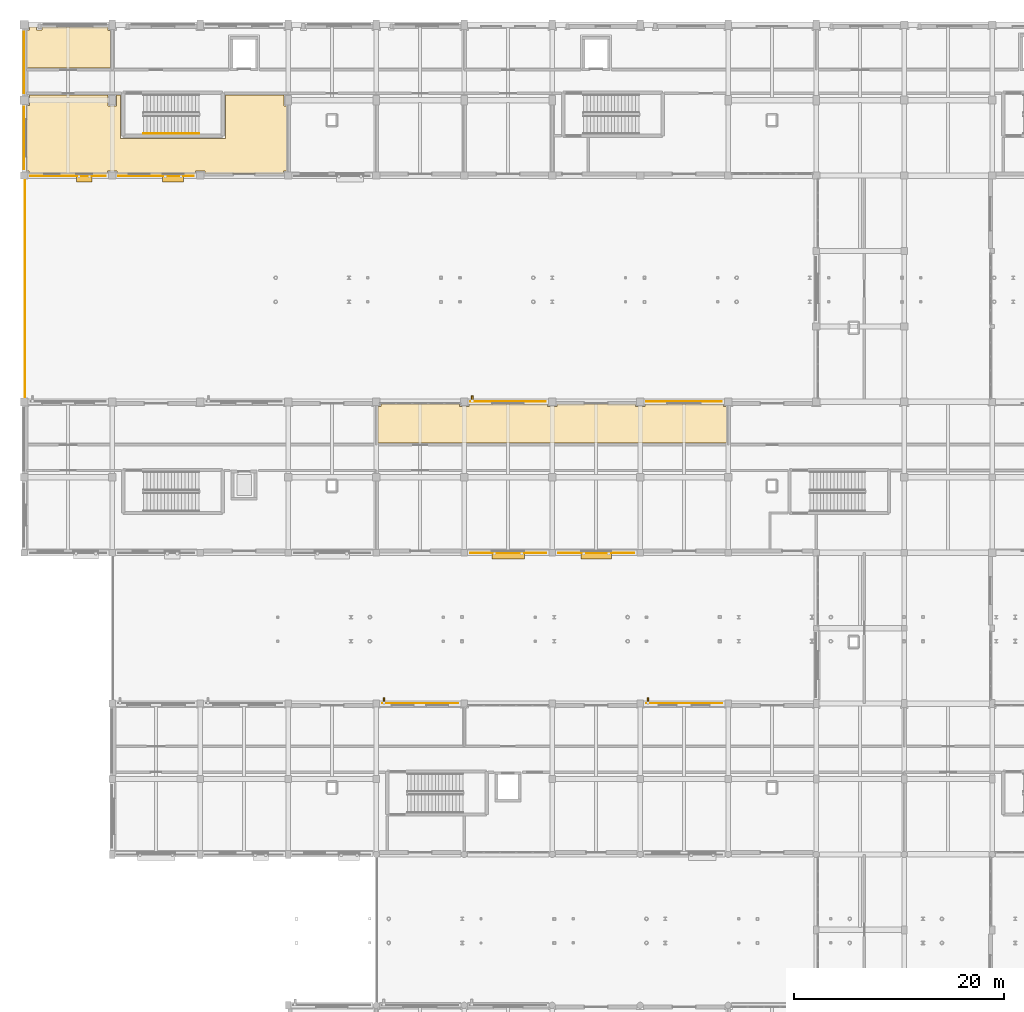
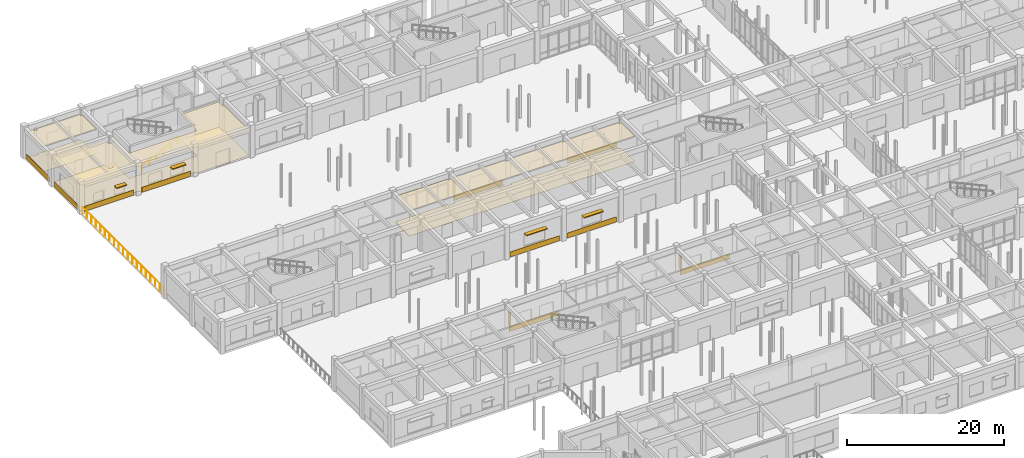
# One storey, part 110 of 121: 16 coverings, 7 shading devices, 2 railings.
"""IFC4 building model written with IfcOpenShell, lengths in metres."""

import ifcopenshell
import ifcopenshell.guid

model = None  # the IFC model being written
_history = None  # IfcOwnerHistory: only IFC2X3 demands one
_inside = {}  # id of a spatial element -> (the spatial element, [elements in it])
_under = {}  # id of a project, library or spatial element -> (it, [spatial elements below it])
_declared = {}  # id of a project -> (the project, [libraries it declares])
_typed = {}  # id of a type object -> (the type object, [elements of that type])
_made_of = {}  # id of a material, layer set ... -> (it, [elements and type objects made of it])


def new_model(schema):
    """Start an empty IFC model of exactly this schema.

    Asked for "IFC4X3", IfcOpenShell would pick the latest addendum, in which some entities
    have other attributes; the version numbers below select the first issue.
    IFC2X3 requires an IfcOwnerHistory on every rooted entity: one is made here for all.
    """
    global model, _history
    if schema == "IFC4X3":
        model = ifcopenshell.file(schema_version=(4, 3, 0, 0))
    else:
        model = ifcopenshell.file(schema=schema)
    _inside.clear()
    _under.clear()
    _declared.clear()
    _typed.clear()
    _made_of.clear()
    _history = None
    if model.schema == "IFC2X3":
        org = make("IfcOrganization", Name="unknown")
        user = make(
            "IfcPersonAndOrganization",
            ThePerson=make("IfcPerson", FamilyName="unknown"),
            TheOrganization=org,
        )
        app = make(
            "IfcApplication",
            ApplicationDeveloper=org,
            Version="unknown",
            ApplicationFullName="unknown",
            ApplicationIdentifier="unknown",
        )
        _history = make(
            "IfcOwnerHistory",
            OwningUser=user,
            OwningApplication=app,
            ChangeAction="ADDED",
            CreationDate=0,
        )
    return model


def make(cls, **values):
    """One entity of the class cls with the attributes given. An attribute that is None is left unset."""
    return model.create_entity(
        cls, **{name: value for name, value in values.items() if value is not None}
    )


def rooted(cls, **values):
    """An entity with a GlobalId (a new one), such as an element, a storey or a relation."""
    return make(cls, GlobalId=ifcopenshell.guid.new(), OwnerHistory=_history, **values)


def si_unit(unit_type, name, prefix=None):
    """IfcSIUnit, for example si_unit("LENGTHUNIT", "METRE", prefix="MILLI")."""
    return make("IfcSIUnit", UnitType=unit_type, Prefix=prefix, Name=name)


def assignment(units):
    """IfcUnitAssignment: the units of a project."""
    return None if units is None else make("IfcUnitAssignment", Units=units)


def point(xyz):
    """IfcCartesianPoint."""
    return None if xyz is None else make("IfcCartesianPoint", Coordinates=xyz)


def direction(xyz):
    """IfcDirection."""
    return None if xyz is None else make("IfcDirection", DirectionRatios=xyz)


def frame(location, z_axis=None, x_axis=None):
    """IfcAxis2Placement3D, a coordinate frame: its origin and axes. An axis left out is left unset."""
    return make(
        "IfcAxis2Placement3D",
        Location=point(location),
        Axis=direction(z_axis),
        RefDirection=direction(x_axis),
    )


def frame_2d(location, x_axis=None):
    """IfcAxis2Placement2D, a coordinate frame in the plane: its origin and x axis."""
    return make(
        "IfcAxis2Placement2D", Location=point(location), RefDirection=direction(x_axis)
    )


def origin():
    """The frame at (0, 0, 0) with its axes left unset."""
    return frame((0.0, 0.0, 0.0))


def origin_2d():
    """The frame at (0, 0) in the plane with its x axis left unset."""
    return frame_2d((0.0, 0.0))


def place(relative_to, where):
    """IfcLocalPlacement: puts the frame where relative to a parent placement (None: the world)."""
    return make(
        "IfcLocalPlacement", PlacementRelTo=relative_to, RelativePlacement=where
    )


def context(
    kind, dimensions, precision=None, world=None, true_north=None, identifier=None
):
    """IfcGeometricRepresentationContext, for example the 3D "Model" context."""
    return make(
        "IfcGeometricRepresentationContext",
        ContextIdentifier=identifier,
        ContextType=kind,
        CoordinateSpaceDimension=dimensions,
        Precision=precision,
        WorldCoordinateSystem=world,
        TrueNorth=true_north,
    )


def subcontext(parent, identifier, kind, view, scale=None):
    """IfcGeometricRepresentationSubContext, for example "Body" below "Model"."""
    return make(
        "IfcGeometricRepresentationSubContext",
        ContextIdentifier=identifier,
        ContextType=kind,
        ParentContext=parent,
        TargetScale=scale,
        TargetView=view,
    )


def project(units=None, contexts=None):
    """IfcProject with its units and contexts."""
    return rooted(
        "IfcProject",
        Name="project",
        RepresentationContexts=contexts,
        UnitsInContext=assignment(units),
    )


def spatial(cls, under=None, at=None, **own):
    """A site, building, storey or space (cls), placed at a placement, below another one or the project."""
    s = rooted(cls, ObjectPlacement=at, **own)
    if under is not None:
        _under.setdefault(under.id(), (under, []))[1].append(s)
    return s


def polyline(points):
    """IfcPolyline through the points."""
    return make("IfcPolyline", Points=[point(p) for p in points])


def profile(cls, at=None, kind="AREA", **sizes):
    """A parametric profile (cls). Its sizes go by their IFC names, for example OverallWidth=200.0."""
    return make(cls, ProfileType=kind, Position=at, **sizes)


def rectangle(**sizes):
    """IfcRectangleProfileDef."""
    return profile("IfcRectangleProfileDef", **sizes)


def circle(**sizes):
    """IfcCircleProfileDef."""
    return profile("IfcCircleProfileDef", **sizes)


def outline(outer, holes=None, kind="AREA"):
    """IfcArbitraryClosedProfileDef: a profile drawn as a closed curve; with holes, ...WithVoids."""
    if holes is None:
        return make("IfcArbitraryClosedProfileDef", ProfileType=kind, OuterCurve=outer)
    return make(
        "IfcArbitraryProfileDefWithVoids",
        ProfileType=kind,
        OuterCurve=outer,
        InnerCurves=holes,
    )


def extrude(swept, where, along, depth):
    """IfcExtrudedAreaSolid: the profile swept, set in the frame where, extruded along a direction by depth."""
    return make(
        "IfcExtrudedAreaSolid",
        SweptArea=swept,
        Position=where,
        ExtrudedDirection=direction(along),
        Depth=depth,
    )


def shape(context_of_items, identifier, shape_type, items):
    """IfcShapeRepresentation: the items that make up one representation, for example the "Body"."""
    return make(
        "IfcShapeRepresentation",
        ContextOfItems=context_of_items,
        RepresentationIdentifier=identifier,
        RepresentationType=shape_type,
        Items=items,
    )


def material(Name=None, Category=None):
    """IfcMaterial."""
    return make("IfcMaterial", Name=Name, Category=Category)


def layer(
    of_material, thickness, ventilated=None, Name=None, Category=None, Priority=None
):
    """IfcMaterialLayer: one layer of a wall or slab, of a material (None: an air gap)."""
    return make(
        "IfcMaterialLayer",
        Material=of_material,
        LayerThickness=thickness,
        IsVentilated=ventilated,
        Name=Name,
        Category=Category,
        Priority=Priority,
    )


def layer_set(layers, Name=None):
    """IfcMaterialLayerSet."""
    return make("IfcMaterialLayerSet", MaterialLayers=layers, LayerSetName=Name)


def made_of(thing, what):
    """Note that an element or type object is made of a material, layer set ...; save() writes the relation."""
    if what is not None:
        _made_of.setdefault(what.id(), (what, []))[1].append(thing)
    return thing


def type_object(cls, material=None, **own):
    """A type object (cls), such as IfcWallType, which elements share."""
    return made_of(rooted(cls, **own), material)


def element(
    cls,
    number,
    at=None,
    inside=None,
    cuts=None,
    type_object=None,
    material=None,
    context=None,
    identifier="Body",
    shape_type=None,
    held_by="IfcProductDefinitionShape",
    body=None,
    shapes=None,
    **own,
):
    """One element of the class cls, such as IfcWall. Its Tag is "e" and its number.

    at: its placement. inside: the storey or other place that contains it. cuts: it is an
    opening in that element (IfcRelVoidsElement). A single representation is given by context,
    identifier, shape_type and body (its items); several are given by shapes. held_by: the class
    of the entity that holds the representations. save() writes the other relations.
    """
    e = rooted(cls, Tag="e%d" % number, ObjectPlacement=at, **own)
    if body is not None:
        shapes = [shape(context, identifier, shape_type, body)]
    if shapes is not None:
        e.Representation = make(held_by, Representations=shapes)
    if inside is not None:
        _inside.setdefault(inside.id(), (inside, []))[1].append(e)
    if cuts is not None:
        rooted(
            "IfcRelVoidsElement", RelatingBuildingElement=cuts, RelatedOpeningElement=e
        )
    if type_object is not None:
        _typed.setdefault(type_object.id(), (type_object, []))[1].append(e)
    return made_of(e, material)


def aggregate(whole, parts):
    """IfcRelAggregates: a whole, such as a stair, and the parts it consists of."""
    return rooted("IfcRelAggregates", RelatingObject=whole, RelatedObjects=parts)


def save(model, path):
    """Write the relations noted so far, then the file.

    IfcRelAggregates (storeys below a building ...), IfcRelContainedInSpatialStructure (elements
    in a storey), IfcRelDefinesByType, IfcRelAssociatesMaterial and IfcRelDeclares: one each for
    every whole, place, type object, material and project.
    """
    for whole, parts in _under.values():
        aggregate(whole, parts)
    for where, things in _inside.values():
        rooted(
            "IfcRelContainedInSpatialStructure",
            RelatedElements=things,
            RelatingStructure=where,
        )
    for kind, things in _typed.values():
        rooted("IfcRelDefinesByType", RelatedObjects=things, RelatingType=kind)
    for what, things in _made_of.values():
        rooted("IfcRelAssociatesMaterial", RelatedObjects=things, RelatingMaterial=what)
    for by, libraries in _declared.values():
        rooted("IfcRelDeclares", RelatingContext=by, RelatedDefinitions=libraries)
    model.write(path)


model = new_model("IFC4")

# Units and contexts
model_context = context("Model", 3, precision=1e-05, world=origin(), true_north=direction((0.0, 1.0)))
body_context = subcontext(model_context, "Body", "Model", "MODEL_VIEW")
ifc_project = project(units=[si_unit("LENGTHUNIT", "METRE"), si_unit("AREAUNIT", "SQUARE_METRE"), si_unit("VOLUMEUNIT", "CUBIC_METRE"), si_unit("PLANEANGLEUNIT", "RADIAN"), si_unit("MASSUNIT", "GRAM", prefix="KILO")], contexts=[model_context])

# Site, building, storey
site_placement = place(None, origin())
site = spatial("IfcSite", under=ifc_project, at=site_placement, CompositionType="ELEMENT")
building_placement = place(site_placement, origin())
building = spatial("IfcBuilding", under=site, at=building_placement, Name="Malvenik Polytechnic", CompositionType="ELEMENT")
storey_placement = place(building_placement, origin())
storey = spatial("IfcBuildingStorey", under=building, at=storey_placement, Name="L00", CompositionType="ELEMENT", Elevation=0.0)

# Coverings
ifc_material_1 = material(Name="Perforated mineral-fibre acoustic suspended ceiling 600x600", Category="gypsum")
ifc_layer_1 = layer(ifc_material_1, 0.02490234375)
ifc_layer_set_1 = layer_set([ifc_layer_1], Name="Perforated mineral-fibre acoustic suspended ceiling 600x600")
covering_type_1 = type_object("IfcCoveringType", Name="ARC-COV-CEIL-AC", PredefinedType="CEILING", material=ifc_layer_set_1)
covering_1_placement = place(storey_placement, frame((0.0, 0.0, 3.93505859375)))
element("IfcCovering", 1, at=covering_1_placement, inside=storey, type_object=covering_type_1, Name="Acoustic Ceiling L00 Fire Command Room", PredefinedType="CEILING", context=body_context, shape_type="SweptSolid", body=[
    extrude(outline(polyline([(0.219970703125, 129.110107421875), (0.489990234375, 129.110107421875), (0.489990234375, 129.3798828125), (1.18994140625, 129.3798828125), (1.18994140625, 129.094970703125), (1.7099609375, 129.094970703125), (1.7099609375, 129.3798828125), (8.010009765625, 129.3798828125), (8.010009765625, 129.06005859375), (8.239990234375, 129.06005859375), (8.239990234375, 125.4599609375), (0.219970703125, 125.4599609375), (0.219970703125, 129.110107421875)])), origin(), (0.0, 0.0, 1.0), 0.02490234375),
])
covering_2_placement = place(storey_placement, frame((0.0, 0.0, 3.93505859375)))
element("IfcCovering", 2, at=covering_2_placement, inside=storey, type_object=covering_type_1, Name="Acoustic Ceiling L00 Campus Admissions and Registry Hall", PredefinedType="CEILING", context=body_context, shape_type="SweptSolid", body=[
    extrude(outline(polyline([(0.489990234375, 122.889892578125), (8.010009765625, 122.889892578125), (8.010009765625, 121.860107421875), (8.7900390625, 121.860107421875), (8.7900390625, 122.889892578125), (9.199951171875, 122.889892578125), (9.199951171875, 118.75), (19.199951171875, 118.75), (19.199951171875, 122.889892578125), (24.81005859375, 122.889892578125), (24.81005859375, 121.860107421875), (25.0400390625, 121.860107421875), (25.0400390625, 115.639892578125), (24.760009765625, 115.639892578125), (24.760009765625, 115.419921875), (17.239990234375, 115.419921875), (17.239990234375, 115.639892578125), (16.360107421875, 115.639892578125), (16.360107421875, 115.419921875), (8.840087890625, 115.419921875), (8.840087890625, 115.639892578125), (7.9599609375, 115.639892578125), (7.9599609375, 115.419921875), (0.43994140625, 115.419921875), (0.43994140625, 115.639892578125), (0.219970703125, 115.639892578125), (0.219970703125, 121.909912109375), (0.489990234375, 121.909912109375), (0.489990234375, 122.889892578125)])), origin(), (0.0, 0.0, 1.0), 0.02490234375),
])
covering_3_placement = place(storey_placement, frame((0.0, 0.0, 3.93505859375)))
element("IfcCovering", 3, at=covering_3_placement, inside=storey, type_object=covering_type_1, Name="Acoustic Ceiling L00 Digital Laser-Cutting FabLab", PredefinedType="CEILING", context=body_context, shape_type="SweptSolid", body=[
    extrude(outline(polyline([(41.56005859375, 93.159912109375), (42.43994140625, 93.159912109375), (42.43994140625, 93.3798828125), (49.9599609375, 93.3798828125), (49.9599609375, 93.159912109375), (50.840087890625, 93.159912109375), (50.840087890625, 93.3798828125), (58.360107421875, 93.3798828125), (58.360107421875, 93.159912109375), (59.239990234375, 93.159912109375), (59.239990234375, 93.3798828125), (66.760009765625, 93.3798828125), (66.760009765625, 93.159912109375), (67.0400390625, 93.159912109375), (67.0400390625, 89.659912109375), (33.760009765625, 89.659912109375), (33.760009765625, 93.159912109375), (34.0400390625, 93.159912109375), (34.0400390625, 93.3798828125), (41.56005859375, 93.3798828125), (41.56005859375, 93.159912109375)])), origin(), (0.0, 0.0, 1.0), 0.02490234375),
])
ifc_material_2 = material(Name="Glazed ochre architectural terracotta rainscreen tile 35mm", Category="masonry")
ifc_layer_2 = layer(ifc_material_2, 0.034912109375)
ifc_layer_set_2 = layer_set([ifc_layer_2], Name="Glazed ochre architectural terracotta rainscreen tile 35mm")
covering_type_2 = type_object("IfcCoveringType", Name="ARC-COV-CLAD-TERR", PredefinedType="CLADDING", material=ifc_layer_set_2)
covering_4_placement = place(storey_placement, frame((0.0, 0.0, 0.050048828125)))
element("IfcCovering", 4, at=covering_4_placement, inside=storey, type_object=covering_type_2, Name="Stone Rainscreen Band CL-02 L00 #24", PredefinedType="CLADDING", context=body_context, shape_type="SweptSolid", body=[
    extrude(outline(polyline([(34.173095703125, 64.81591796875), (41.427001953125, 64.81591796875), (41.427001953125, 64.85107421875), (34.173095703125, 64.85107421875), (34.173095703125, 64.81591796875)])), origin(), (0.0, 0.0, 1.0), 0.800048828125),
])
covering_5_placement = place(storey_placement, frame((0.0, 0.0, 0.050048828125)))
element("IfcCovering", 5, at=covering_5_placement, inside=storey, type_object=covering_type_2, Name="Stone Rainscreen Band CL-02 L00 #25", PredefinedType="CLADDING", context=body_context, shape_type="SweptSolid", body=[
    extrude(outline(polyline([(59.373046875, 64.81591796875), (66.626953125, 64.81591796875), (66.626953125, 64.85107421875), (59.373046875, 64.85107421875), (59.373046875, 64.81591796875)])), origin(), (0.0, 0.0, 1.0), 0.800048828125),
])
covering_6_placement = place(storey_placement, frame((0.0, 0.0, 0.050048828125)))
element("IfcCovering", 6, at=covering_6_placement, inside=storey, type_object=covering_type_2, Name="Stone Rainscreen Band CL-02 L00 #27", PredefinedType="CLADDING", context=body_context, shape_type="SweptSolid", body=[
    extrude(outline(polyline([(58.22705078125, 79.18408203125), (50.972900390625, 79.18408203125), (50.972900390625, 79.14892578125), (58.22705078125, 79.14892578125), (58.22705078125, 79.18408203125)])), origin(), (0.0, 0.0, 1.0), 0.800048828125),
])
covering_7_placement = place(storey_placement, frame((0.0, 0.0, 0.050048828125)))
element("IfcCovering", 7, at=covering_7_placement, inside=storey, type_object=covering_type_2, Name="Stone Rainscreen Band CL-02 L00 #28", PredefinedType="CLADDING", context=body_context, shape_type="SweptSolid", body=[
    extrude(outline(polyline([(49.826904296875, 79.18408203125), (42.572998046875, 79.18408203125), (42.572998046875, 79.14892578125), (49.826904296875, 79.14892578125), (49.826904296875, 79.18408203125)])), origin(), (0.0, 0.0, 1.0), 0.800048828125),
])
covering_8_placement = place(storey_placement, frame((0.0, 0.0, 0.050048828125)))
element("IfcCovering", 8, at=covering_8_placement, inside=storey, type_object=covering_type_2, Name="Stone Rainscreen Band CL-02 L00 #36", PredefinedType="CLADDING", context=body_context, shape_type="SweptSolid", body=[
    extrude(outline(polyline([(42.597900390625, 93.615966796875), (49.802001953125, 93.615966796875), (49.802001953125, 93.65087890625), (42.597900390625, 93.65087890625), (42.597900390625, 93.615966796875)])), origin(), (0.0, 0.0, 1.0), 0.800048828125),
])
covering_9_placement = place(storey_placement, frame((0.0, 0.0, 0.050048828125)))
element("IfcCovering", 9, at=covering_9_placement, inside=storey, type_object=covering_type_2, Name="Stone Rainscreen Band CL-02 L00 #37", PredefinedType="CLADDING", context=body_context, shape_type="SweptSolid", body=[
    extrude(outline(polyline([(59.39794921875, 93.615966796875), (66.60205078125, 93.615966796875), (66.60205078125, 93.65087890625), (59.39794921875, 93.65087890625), (59.39794921875, 93.615966796875)])), origin(), (0.0, 0.0, 1.0), 0.800048828125),
])
covering_10_placement = place(storey_placement, frame((0.0, 0.0, 0.050048828125)))
element("IfcCovering", 10, at=covering_10_placement, inside=storey, type_object=covering_type_2, Name="Stone Rainscreen Band CL-02 L00 #40", PredefinedType="CLADDING", context=body_context, shape_type="SweptSolid", body=[
    extrude(outline(polyline([(16.201904296875, 115.18408203125), (8.998046875, 115.18408203125), (8.998046875, 115.14892578125), (16.201904296875, 115.14892578125), (16.201904296875, 115.18408203125)])), origin(), (0.0, 0.0, 1.0), 0.800048828125),
])
covering_11_placement = place(storey_placement, frame((0.0, 0.0, 0.050048828125)))
element("IfcCovering", 11, at=covering_11_placement, inside=storey, type_object=covering_type_2, Name="Stone Rainscreen Band CL-02 L00 #41", PredefinedType="CLADDING", context=body_context, shape_type="SweptSolid", body=[
    extrude(outline(polyline([(7.802001953125, 115.18408203125), (0.597900390625, 115.18408203125), (0.597900390625, 115.14892578125), (7.802001953125, 115.14892578125), (7.802001953125, 115.18408203125)])), origin(), (0.0, 0.0, 1.0), 0.800048828125),
])
covering_12_placement = place(storey_placement, frame((0.0, 0.0, 0.050048828125)))
element("IfcCovering", 12, at=covering_12_placement, inside=storey, type_object=covering_type_2, Name="Stone Rainscreen Band CL-02 L00 #42", PredefinedType="CLADDING", context=body_context, shape_type="SweptSolid", body=[
    extrude(outline(polyline([(-0.01611328125, 115.798095703125), (-0.01611328125, 121.751953125), (-0.051025390625, 121.751953125), (-0.051025390625, 115.798095703125), (-0.01611328125, 115.798095703125)])), origin(), (0.0, 0.0, 1.0), 0.800048828125),
])
covering_13_placement = place(storey_placement, frame((0.0, 0.0, 0.050048828125)))
element("IfcCovering", 13, at=covering_13_placement, inside=storey, type_object=covering_type_2, Name="Stone Rainscreen Band CL-02 L00 #43", PredefinedType="CLADDING", context=body_context, shape_type="SweptSolid", body=[
    extrude(outline(polyline([(-0.01611328125, 123.048095703125), (-0.01611328125, 128.951904296875), (-0.051025390625, 128.951904296875), (-0.051025390625, 123.048095703125), (-0.01611328125, 123.048095703125)])), origin(), (0.0, 0.0, 1.0), 0.800048828125),
])
ifc_material_3 = material(Name="Chemical-resistant seamless laboratory epoxy resin flooring 15mm", Category="plastic")
ifc_layer_3 = layer(ifc_material_3, 0.014892578125)
ifc_layer_set_3 = layer_set([ifc_layer_3], Name="Chemical-resistant seamless laboratory epoxy resin flooring 15mm")
covering_type_3 = type_object("IfcCoveringType", Name="ARC-COV-FLR-EPX", PredefinedType="FLOORING", material=ifc_layer_set_3)
covering_14_placement = place(storey_placement, origin())
element("IfcCovering", 14, at=covering_14_placement, inside=storey, type_object=covering_type_3, Name="Floor Finish FLR-02 L00 Digital Laser-Cutting FabLab", PredefinedType="FLOORING", context=body_context, shape_type="SweptSolid", body=[
    extrude(outline(polyline([(41.56005859375, 93.159912109375), (42.43994140625, 93.159912109375), (42.43994140625, 93.3798828125), (49.9599609375, 93.3798828125), (49.9599609375, 93.159912109375), (50.840087890625, 93.159912109375), (50.840087890625, 93.3798828125), (58.360107421875, 93.3798828125), (58.360107421875, 93.159912109375), (59.239990234375, 93.159912109375), (59.239990234375, 93.3798828125), (66.760009765625, 93.3798828125), (66.760009765625, 93.159912109375), (67.0400390625, 93.159912109375), (67.0400390625, 89.659912109375), (33.760009765625, 89.659912109375), (33.760009765625, 93.159912109375), (34.0400390625, 93.159912109375), (34.0400390625, 93.3798828125), (41.56005859375, 93.3798828125), (41.56005859375, 93.159912109375)])), origin(), (0.0, 0.0, 1.0), 0.014892578125),
])
ifc_material_4 = material(Name="Polished Danube aggregate terrazzo flooring 20mm", Category="stone")
ifc_layer_4 = layer(ifc_material_4, 0.02001953125)
ifc_layer_set_4 = layer_set([ifc_layer_4], Name="Polished Danube aggregate terrazzo flooring 20mm")
covering_type_4 = type_object("IfcCoveringType", Name="ARC-COV-FLR-TER", PredefinedType="FLOORING", material=ifc_layer_set_4)
covering_15_placement = place(storey_placement, origin())
element("IfcCovering", 15, at=covering_15_placement, inside=storey, type_object=covering_type_4, Name="Floor Finish FLR-01 L00 Fire Command Room", PredefinedType="FLOORING", context=body_context, shape_type="SweptSolid", body=[
    extrude(outline(polyline([(0.219970703125, 129.110107421875), (0.489990234375, 129.110107421875), (0.489990234375, 129.3798828125), (1.18994140625, 129.3798828125), (1.18994140625, 129.094970703125), (1.7099609375, 129.094970703125), (1.7099609375, 129.3798828125), (8.010009765625, 129.3798828125), (8.010009765625, 129.06005859375), (8.239990234375, 129.06005859375), (8.239990234375, 125.4599609375), (0.219970703125, 125.4599609375), (0.219970703125, 129.110107421875)])), origin(), (0.0, 0.0, 1.0), 0.02001953125),
])
covering_16_placement = place(storey_placement, origin())
element("IfcCovering", 16, at=covering_16_placement, inside=storey, type_object=covering_type_4, Name="Floor Finish FLR-01 L00 Campus Admissions and Registry Hall", PredefinedType="FLOORING", context=body_context, shape_type="SweptSolid", body=[
    extrude(outline(polyline([(0.489990234375, 122.889892578125), (8.010009765625, 122.889892578125), (8.010009765625, 121.860107421875), (8.7900390625, 121.860107421875), (8.7900390625, 122.889892578125), (9.199951171875, 122.889892578125), (9.199951171875, 118.75), (19.199951171875, 118.75), (19.199951171875, 122.889892578125), (24.81005859375, 122.889892578125), (24.81005859375, 121.860107421875), (25.0400390625, 121.860107421875), (25.0400390625, 115.639892578125), (24.760009765625, 115.639892578125), (24.760009765625, 115.419921875), (17.239990234375, 115.419921875), (17.239990234375, 115.639892578125), (16.360107421875, 115.639892578125), (16.360107421875, 115.419921875), (8.840087890625, 115.419921875), (8.840087890625, 115.639892578125), (7.9599609375, 115.639892578125), (7.9599609375, 115.419921875), (0.43994140625, 115.419921875), (0.43994140625, 115.639892578125), (0.219970703125, 115.639892578125), (0.219970703125, 121.909912109375), (0.489990234375, 121.909912109375), (0.489990234375, 122.889892578125)])), origin(), (0.0, 0.0, 1.0), 0.02001953125),
])

# Railings
ifc_material_5 = material(Name="Galvanised powder-coated steel and laminated glass guard 1150mm", Category="steel")
ifc_layer_5 = layer(ifc_material_5, 0.070068359375)
ifc_layer_set_5 = layer_set([ifc_layer_5], Name="Galvanised powder-coated steel and laminated glass guard 1150mm")
railing_type_1 = type_object("IfcRailingType", Name="ARC-RL-BAL-1150", PredefinedType="BALUSTRADE", material=ifc_layer_set_5)
railing_1_placement = place(storey_placement, frame((0.06005859375, 93.919921875, 0.0)))
element("IfcRailing", 17, at=railing_1_placement, inside=storey, type_object=railing_type_1, Name="Terrace Perimeter Balustrade L00 #7", PredefinedType="BALUSTRADE", context=body_context, shape_type="SweptSolid", body=[
    extrude(circle(Radius=0.02392578125, at=origin_2d()), frame((0.0, 0.0, 1.1259765625), z_axis=(0.0, 1.0, 0.0), x_axis=(-1.0, 0.0, 0.0)), (0.0, 0.0, 1.0), 20.9599609375),
    extrude(circle(Radius=0.02099609375, at=origin_2d()), origin(), (0.0, 0.0, 1.0), 1.101806640625),
    extrude(circle(Radius=0.02099609375, at=origin_2d()), frame((0.0, 1.16455078125, 0.0)), (0.0, 0.0, 1.0), 1.101806640625),
    extrude(circle(Radius=0.02099609375, at=origin_2d()), frame((0.0, 2.328857421875, 0.0)), (0.0, 0.0, 1.0), 1.101806640625),
    extrude(circle(Radius=0.02099609375, at=origin_2d()), frame((0.0, 3.493408203125, 0.0)), (0.0, 0.0, 1.0), 1.101806640625),
    extrude(circle(Radius=0.02099609375, at=origin_2d()), frame((0.0, 4.65771484375, 0.0)), (0.0, 0.0, 1.0), 1.101806640625),
    extrude(circle(Radius=0.02099609375, at=origin_2d()), frame((0.0, 5.822265625, 0.0)), (0.0, 0.0, 1.0), 1.101806640625),
    extrude(circle(Radius=0.02099609375, at=origin_2d()), frame((0.0, 6.986572265625, 0.0)), (0.0, 0.0, 1.0), 1.101806640625),
    extrude(circle(Radius=0.02099609375, at=origin_2d()), frame((0.0, 8.151123046875, 0.0)), (0.0, 0.0, 1.0), 1.101806640625),
    extrude(circle(Radius=0.02099609375, at=origin_2d()), frame((0.0, 9.3154296875, 0.0)), (0.0, 0.0, 1.0), 1.101806640625),
    extrude(circle(Radius=0.02099609375, at=origin_2d()), frame((0.0, 10.47998046875, 0.0)), (0.0, 0.0, 1.0), 1.101806640625),
    extrude(circle(Radius=0.02099609375, at=origin_2d()), frame((0.0, 11.64453125, 0.0)), (0.0, 0.0, 1.0), 1.101806640625),
    extrude(circle(Radius=0.02099609375, at=origin_2d()), frame((0.0, 12.808837890625, 0.0)), (0.0, 0.0, 1.0), 1.101806640625),
    extrude(circle(Radius=0.02099609375, at=origin_2d()), frame((0.0, 13.973388671875, 0.0)), (0.0, 0.0, 1.0), 1.101806640625),
    extrude(circle(Radius=0.02099609375, at=origin_2d()), frame((0.0, 15.1376953125, 0.0)), (0.0, 0.0, 1.0), 1.101806640625),
    extrude(circle(Radius=0.02099609375, at=origin_2d()), frame((0.0, 16.30224609375, 0.0)), (0.0, 0.0, 1.0), 1.101806640625),
    extrude(circle(Radius=0.02099609375, at=origin_2d()), frame((0.0, 17.466552734375, 0.0)), (0.0, 0.0, 1.0), 1.101806640625),
    extrude(circle(Radius=0.02099609375, at=origin_2d()), frame((0.0, 18.631103515625, 0.0)), (0.0, 0.0, 1.0), 1.101806640625),
    extrude(circle(Radius=0.02099609375, at=origin_2d()), frame((0.0, 19.79541015625, 0.0)), (0.0, 0.0, 1.0), 1.101806640625),
    extrude(circle(Radius=0.02099609375, at=origin_2d()), frame((0.0, 20.9599609375, 0.0)), (0.0, 0.0, 1.0), 1.101806640625),
])
ifc_material_6 = material(Name="Brushed stainless steel 1.4301 stair wall handrail", Category="steel")
ifc_layer_6 = layer(ifc_material_6, 0.044921875)
ifc_layer_set_6 = layer_set([ifc_layer_6], Name="Brushed stainless steel 1.4301 stair wall handrail")
railing_type_2 = type_object("IfcRailingType", Name="ARC-RL-STHR", PredefinedType="HANDRAIL", material=ifc_layer_set_6)
railing_2_placement = place(storey_placement, frame((11.39990234375, 119.199951171875, 0.14990234375)))
element("IfcRailing", 18, at=railing_2_placement, inside=storey, type_object=railing_type_2, Name="L00 ST-01 stair handrail 1", PredefinedType="HANDRAIL", context=body_context, shape_type="SweptSolid", body=[
    extrude(circle(Radius=0.02392578125, at=origin_2d()), frame((0.0, 0.0, 0.8759765625), z_axis=(0.910357827898, 0.0, 0.413821972815), x_axis=(0.0, 1.0, 0.0)), (0.0, 0.0, 1.0), 5.800048828125),
    extrude(circle(Radius=0.02099609375, at=origin_2d()), origin(), (0.0, 0.0, 1.0), 0.851806640625),
    extrude(circle(Radius=0.02099609375, at=origin_2d()), frame((1.055908203125, 0.0, 0.47998046875)), (0.0, 0.0, 1.0), 0.851806640625),
    extrude(circle(Radius=0.02099609375, at=origin_2d()), frame((2.112060546875, 0.0, 0.9599609375)), (0.0, 0.0, 1.0), 0.851806640625),
    extrude(circle(Radius=0.02099609375, at=origin_2d()), frame((3.16796875, 0.0, 1.440185546875)), (0.0, 0.0, 1.0), 0.851806640625),
    extrude(circle(Radius=0.02099609375, at=origin_2d()), frame((4.22412109375, 0.0, 1.920166015625)), (0.0, 0.0, 1.0), 0.851806640625),
    extrude(circle(Radius=0.02099609375, at=origin_2d()), frame((5.280029296875, 0.0, 2.400146484375)), (0.0, 0.0, 1.0), 0.851806640625),
])

# Shading devices
ifc_material_7 = material(Name="Precast ultra-high-performance fibre concrete sunshade fin", Category="concrete")
shading_device_type_1 = type_object("IfcShadingDeviceType", Name="ARC-SHD-FIN", PredefinedType="USERDEFINED", material=ifc_material_7)
for number, where, z_axis, x_axis, name in (
    (19, (34.343017578125, 65.080078125, 0.800048828125), (0.0, 0.0, 1.0), (1.0, 0.0, 0.0), "Vertical UHPC Sunshade Fin SH-02 #6"),
    (20, (59.54296875, 65.080078125, 0.800048828125), (0.0, 0.0, 1.0), (1.0, 0.0, 0.0), "Vertical UHPC Sunshade Fin SH-02 #7"),
    (21, (42.76806640625, 93.8798828125, 0.800048828125), (0.0, 0.0, 1.0), (1.0, 0.0, 0.0), "Vertical UHPC Sunshade Fin SH-02 #10"),
):
    element("IfcShadingDevice", number, at=place(storey_placement, frame(where, z_axis=z_axis, x_axis=x_axis)), inside=storey, type_object=shading_device_type_1, Name=name, ObjectType="SUNSHADE FIN", PredefinedType="USERDEFINED", context=body_context, shape_type="SweptSolid", body=[
        extrude(rectangle(XDim=0.179931640625, YDim=0.56005859375, at=origin_2d()), origin(), (0.0, 0.0, 1.0), 2.10009765625),
    ])
ifc_material_8 = material(Name="Extruded anodised aluminium solar brise-soleil louvre", Category="aluminium")
shading_device_type_2 = type_object("IfcShadingDeviceType", Name="ARC-SHD-LOUVRE", PredefinedType="JALOUSIE", material=ifc_material_8)
shading_device_1_placement = place(storey_placement, frame((54.60009765625, 78.89990234375, 2.7099609375), z_axis=(0.0, 0.0, 1.0), x_axis=(1.0, 0.0, 0.0)))
element("IfcShadingDevice", 22, at=shading_device_1_placement, inside=storey, type_object=shading_device_type_2, Name="Solar Brise-Soleil Louvre SH-01 #6", PredefinedType="JALOUSIE", context=body_context, shape_type="SweptSolid", body=[
    extrude(rectangle(XDim=2.89990234375, YDim=0.60009765625, at=origin_2d()), origin(), (0.0, 0.0, 1.0), 0.139892578125),
])
shading_device_2_placement = place(storey_placement, frame((46.199951171875, 78.89990234375, 2.91015625), z_axis=(0.0, 0.0, 1.0), x_axis=(1.0, 0.0, 0.0)))
element("IfcShadingDevice", 23, at=shading_device_2_placement, inside=storey, type_object=shading_device_type_2, Name="Solar Brise-Soleil Louvre SH-01 #7", PredefinedType="JALOUSIE", context=body_context, shape_type="SweptSolid", body=[
    extrude(rectangle(XDim=3.10009765625, YDim=0.60009765625, at=origin_2d()), origin(), (0.0, 0.0, 1.0), 0.139892578125),
])
shading_device_3_placement = place(storey_placement, frame((14.21728515625, 114.89990234375, 2.4599609375), z_axis=(0.0, 0.0, 1.0), x_axis=(1.0, 0.0, 0.0)))
element("IfcShadingDevice", 24, at=shading_device_3_placement, inside=storey, type_object=shading_device_type_2, Name="Solar Brise-Soleil Louvre SH-01 #12", PredefinedType="JALOUSIE", context=body_context, shape_type="SweptSolid", body=[
    extrude(rectangle(XDim=2.0, YDim=0.60009765625, at=origin_2d()), origin(), (0.0, 0.0, 1.0), 0.139892578125),
])
shading_device_4_placement = place(storey_placement, frame((5.73388671875, 114.89990234375, 2.35986328125), z_axis=(0.0, 0.0, 1.0), x_axis=(1.0, 0.0, 0.0)))
element("IfcShadingDevice", 25, at=shading_device_4_placement, inside=storey, type_object=shading_device_type_2, Name="Solar Brise-Soleil Louvre SH-01 #13", PredefinedType="JALOUSIE", context=body_context, shape_type="SweptSolid", body=[
    extrude(rectangle(XDim=1.5, YDim=0.60009765625, at=origin_2d()), origin(), (0.0, 0.0, 1.0), 0.139892578125),
])

save(model, "model.ifc")
